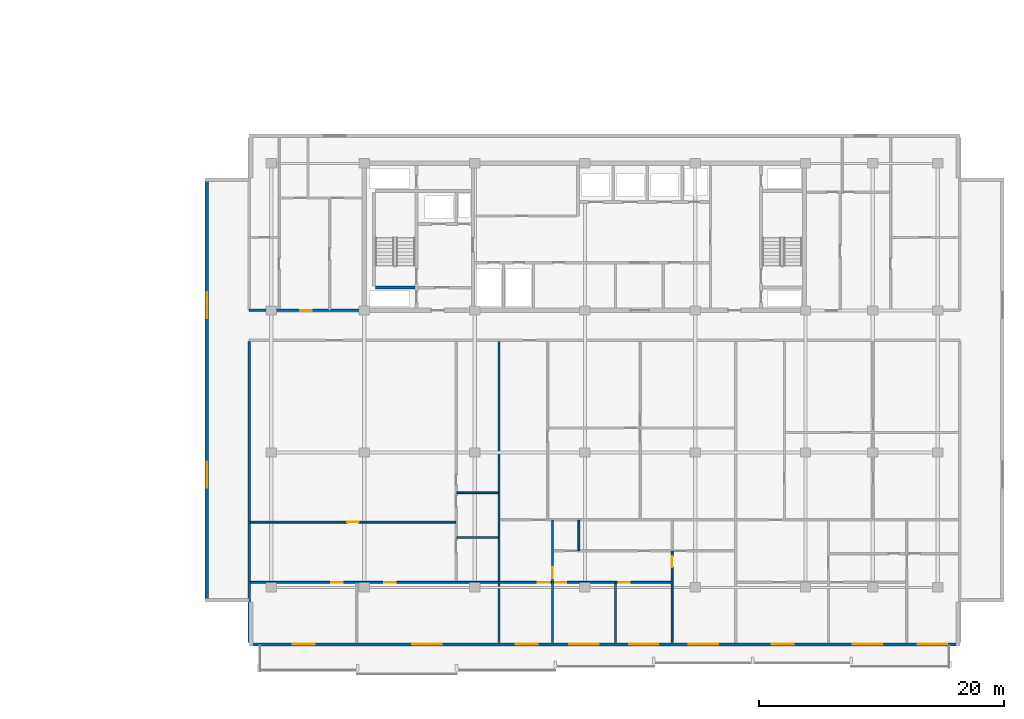
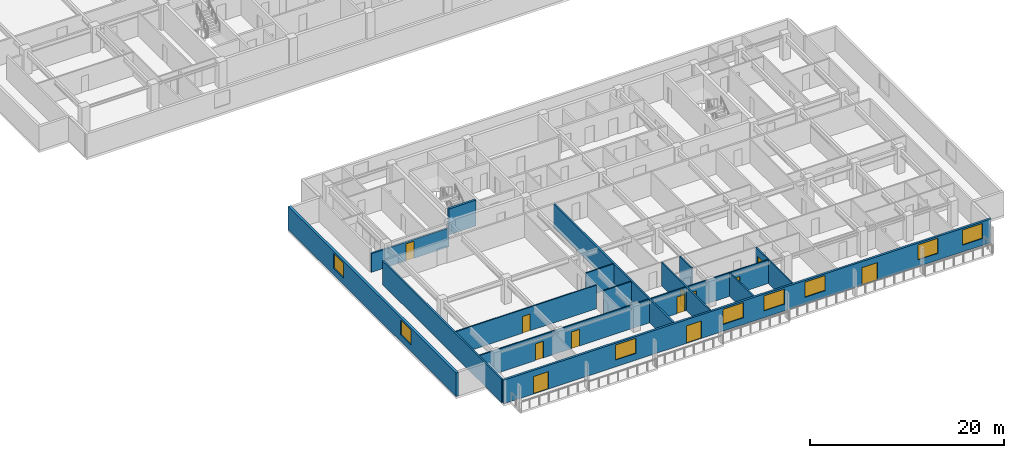
# One storey, part 4 of 21: 15 walls, 12 doors, 8 windows, 20 openings.
"""IFC4 building model written with IfcOpenShell, lengths in metres."""

import ifcopenshell
import ifcopenshell.guid

model = None  # the IFC model being written
_history = None  # IfcOwnerHistory: only IFC2X3 demands one
_inside = {}  # id of a spatial element -> (the spatial element, [elements in it])
_under = {}  # id of a project, library or spatial element -> (it, [spatial elements below it])
_declared = {}  # id of a project -> (the project, [libraries it declares])
_typed = {}  # id of a type object -> (the type object, [elements of that type])
_made_of = {}  # id of a material, layer set ... -> (it, [elements and type objects made of it])


def new_model(schema):
    """Start an empty IFC model of exactly this schema.

    Asked for "IFC4X3", IfcOpenShell would pick the latest addendum, in which some entities
    have other attributes; the version numbers below select the first issue.
    IFC2X3 requires an IfcOwnerHistory on every rooted entity: one is made here for all.
    """
    global model, _history
    if schema == "IFC4X3":
        model = ifcopenshell.file(schema_version=(4, 3, 0, 0))
    else:
        model = ifcopenshell.file(schema=schema)
    _inside.clear()
    _under.clear()
    _declared.clear()
    _typed.clear()
    _made_of.clear()
    _history = None
    if model.schema == "IFC2X3":
        org = make("IfcOrganization", Name="unknown")
        user = make(
            "IfcPersonAndOrganization",
            ThePerson=make("IfcPerson", FamilyName="unknown"),
            TheOrganization=org,
        )
        app = make(
            "IfcApplication",
            ApplicationDeveloper=org,
            Version="unknown",
            ApplicationFullName="unknown",
            ApplicationIdentifier="unknown",
        )
        _history = make(
            "IfcOwnerHistory",
            OwningUser=user,
            OwningApplication=app,
            ChangeAction="ADDED",
            CreationDate=0,
        )
    return model


def make(cls, **values):
    """One entity of the class cls with the attributes given. An attribute that is None is left unset."""
    return model.create_entity(
        cls, **{name: value for name, value in values.items() if value is not None}
    )


def rooted(cls, **values):
    """An entity with a GlobalId (a new one), such as an element, a storey or a relation."""
    return make(cls, GlobalId=ifcopenshell.guid.new(), OwnerHistory=_history, **values)


def si_unit(unit_type, name, prefix=None):
    """IfcSIUnit, for example si_unit("LENGTHUNIT", "METRE", prefix="MILLI")."""
    return make("IfcSIUnit", UnitType=unit_type, Prefix=prefix, Name=name)


def assignment(units):
    """IfcUnitAssignment: the units of a project."""
    return None if units is None else make("IfcUnitAssignment", Units=units)


def point(xyz):
    """IfcCartesianPoint."""
    return None if xyz is None else make("IfcCartesianPoint", Coordinates=xyz)


def direction(xyz):
    """IfcDirection."""
    return None if xyz is None else make("IfcDirection", DirectionRatios=xyz)


def frame(location, z_axis=None, x_axis=None):
    """IfcAxis2Placement3D, a coordinate frame: its origin and axes. An axis left out is left unset."""
    return make(
        "IfcAxis2Placement3D",
        Location=point(location),
        Axis=direction(z_axis),
        RefDirection=direction(x_axis),
    )


def frame_2d(location, x_axis=None):
    """IfcAxis2Placement2D, a coordinate frame in the plane: its origin and x axis."""
    return make(
        "IfcAxis2Placement2D", Location=point(location), RefDirection=direction(x_axis)
    )


def origin():
    """The frame at (0, 0, 0) with its axes left unset."""
    return frame((0.0, 0.0, 0.0))


def place(relative_to, where):
    """IfcLocalPlacement: puts the frame where relative to a parent placement (None: the world)."""
    return make(
        "IfcLocalPlacement", PlacementRelTo=relative_to, RelativePlacement=where
    )


def context(
    kind, dimensions, precision=None, world=None, true_north=None, identifier=None
):
    """IfcGeometricRepresentationContext, for example the 3D "Model" context."""
    return make(
        "IfcGeometricRepresentationContext",
        ContextIdentifier=identifier,
        ContextType=kind,
        CoordinateSpaceDimension=dimensions,
        Precision=precision,
        WorldCoordinateSystem=world,
        TrueNorth=true_north,
    )


def subcontext(parent, identifier, kind, view, scale=None):
    """IfcGeometricRepresentationSubContext, for example "Body" below "Model"."""
    return make(
        "IfcGeometricRepresentationSubContext",
        ContextIdentifier=identifier,
        ContextType=kind,
        ParentContext=parent,
        TargetScale=scale,
        TargetView=view,
    )


def project(units=None, contexts=None):
    """IfcProject with its units and contexts."""
    return rooted(
        "IfcProject",
        Name="project",
        RepresentationContexts=contexts,
        UnitsInContext=assignment(units),
    )


def spatial(cls, under=None, at=None, **own):
    """A site, building, storey or space (cls), placed at a placement, below another one or the project."""
    s = rooted(cls, ObjectPlacement=at, **own)
    if under is not None:
        _under.setdefault(under.id(), (under, []))[1].append(s)
    return s


def profile(cls, at=None, kind="AREA", **sizes):
    """A parametric profile (cls). Its sizes go by their IFC names, for example OverallWidth=200.0."""
    return make(cls, ProfileType=kind, Position=at, **sizes)


def rectangle(**sizes):
    """IfcRectangleProfileDef."""
    return profile("IfcRectangleProfileDef", **sizes)


def extrude(swept, where, along, depth):
    """IfcExtrudedAreaSolid: the profile swept, set in the frame where, extruded along a direction by depth."""
    return make(
        "IfcExtrudedAreaSolid",
        SweptArea=swept,
        Position=where,
        ExtrudedDirection=direction(along),
        Depth=depth,
    )


def shape(context_of_items, identifier, shape_type, items):
    """IfcShapeRepresentation: the items that make up one representation, for example the "Body"."""
    return make(
        "IfcShapeRepresentation",
        ContextOfItems=context_of_items,
        RepresentationIdentifier=identifier,
        RepresentationType=shape_type,
        Items=items,
    )


def material(Name=None, Category=None):
    """IfcMaterial."""
    return make("IfcMaterial", Name=Name, Category=Category)


def layer(
    of_material, thickness, ventilated=None, Name=None, Category=None, Priority=None
):
    """IfcMaterialLayer: one layer of a wall or slab, of a material (None: an air gap)."""
    return make(
        "IfcMaterialLayer",
        Material=of_material,
        LayerThickness=thickness,
        IsVentilated=ventilated,
        Name=Name,
        Category=Category,
        Priority=Priority,
    )


def layer_set(layers, Name=None):
    """IfcMaterialLayerSet."""
    return make("IfcMaterialLayerSet", MaterialLayers=layers, LayerSetName=Name)


def made_of(thing, what):
    """Note that an element or type object is made of a material, layer set ...; save() writes the relation."""
    if what is not None:
        _made_of.setdefault(what.id(), (what, []))[1].append(thing)
    return thing


def type_object(cls, material=None, **own):
    """A type object (cls), such as IfcWallType, which elements share."""
    return made_of(rooted(cls, **own), material)


def element(
    cls,
    number,
    at=None,
    inside=None,
    cuts=None,
    type_object=None,
    material=None,
    context=None,
    identifier="Body",
    shape_type=None,
    held_by="IfcProductDefinitionShape",
    body=None,
    shapes=None,
    **own,
):
    """One element of the class cls, such as IfcWall. Its Tag is "e" and its number.

    at: its placement. inside: the storey or other place that contains it. cuts: it is an
    opening in that element (IfcRelVoidsElement). A single representation is given by context,
    identifier, shape_type and body (its items); several are given by shapes. held_by: the class
    of the entity that holds the representations. save() writes the other relations.
    """
    e = rooted(cls, Tag="e%d" % number, ObjectPlacement=at, **own)
    if body is not None:
        shapes = [shape(context, identifier, shape_type, body)]
    if shapes is not None:
        e.Representation = make(held_by, Representations=shapes)
    if inside is not None:
        _inside.setdefault(inside.id(), (inside, []))[1].append(e)
    if cuts is not None:
        rooted(
            "IfcRelVoidsElement", RelatingBuildingElement=cuts, RelatedOpeningElement=e
        )
    if type_object is not None:
        _typed.setdefault(type_object.id(), (type_object, []))[1].append(e)
    return made_of(e, material)


def fill(opening, filler):
    """IfcRelFillsElement: the door or window that sits in an opening."""
    return rooted(
        "IfcRelFillsElement",
        RelatingOpeningElement=opening,
        RelatedBuildingElement=filler,
    )


def aggregate(whole, parts):
    """IfcRelAggregates: a whole, such as a stair, and the parts it consists of."""
    return rooted("IfcRelAggregates", RelatingObject=whole, RelatedObjects=parts)


def save(model, path):
    """Write the relations noted so far, then the file.

    IfcRelAggregates (storeys below a building ...), IfcRelContainedInSpatialStructure (elements
    in a storey), IfcRelDefinesByType, IfcRelAssociatesMaterial and IfcRelDeclares: one each for
    every whole, place, type object, material and project.
    """
    for whole, parts in _under.values():
        aggregate(whole, parts)
    for where, things in _inside.values():
        rooted(
            "IfcRelContainedInSpatialStructure",
            RelatedElements=things,
            RelatingStructure=where,
        )
    for kind, things in _typed.values():
        rooted("IfcRelDefinesByType", RelatedObjects=things, RelatingType=kind)
    for what, things in _made_of.values():
        rooted("IfcRelAssociatesMaterial", RelatedObjects=things, RelatingMaterial=what)
    for by, libraries in _declared.values():
        rooted("IfcRelDeclares", RelatingContext=by, RelatedDefinitions=libraries)
    model.write(path)


model = new_model("IFC4")

# Units and contexts
model_context = context("Model", 3, precision=1e-05, world=origin(), true_north=direction((0.0, 1.0)))
body_context = subcontext(model_context, "Body", "Model", "MODEL_VIEW")
ifc_project = project(units=[si_unit("LENGTHUNIT", "METRE"), si_unit("AREAUNIT", "SQUARE_METRE"), si_unit("VOLUMEUNIT", "CUBIC_METRE"), si_unit("PLANEANGLEUNIT", "RADIAN"), si_unit("MASSUNIT", "GRAM", prefix="KILO")], contexts=[model_context])

# Site, building, storey
site_placement = place(None, origin())
site = spatial("IfcSite", under=ifc_project, at=site_placement, CompositionType="ELEMENT")
building_placement = place(site_placement, origin())
building = spatial("IfcBuilding", under=site, at=building_placement, Name="Korimba Cascade Residences", CompositionType="ELEMENT")
storey_placement = place(building_placement, frame((0.0, 0.0, 123.050048828125)))
storey = spatial("IfcBuildingStorey", under=building, at=storey_placement, Name="L35", CompositionType="ELEMENT", Elevation=123.050048828125)

# Wall, openings, doors, windows
ifc_material_1 = material(Name="Precast concrete C40/50", Category="concrete")
ifc_layer_1 = layer(ifc_material_1, 0.25)
ifc_layer_set_1 = layer_set([ifc_layer_1], Name="Precast concrete C40/50")
wall_type_1 = type_object("IfcWallType", Name="EW-LOG-250", PredefinedType="STANDARD", material=ifc_layer_set_1)
wall_1_placement = place(storey_placement, frame((72.699951171875, -8.85009765625, 0.0), z_axis=(0.0, 0.0, 1.0), x_axis=(1.0, 0.0, 0.0)))
wall_1 = element("IfcWall", 1, at=wall_1_placement, inside=storey, type_object=wall_type_1, Name="L35 T2 Perimeter Stone Wall E00", PredefinedType="STANDARD", context=body_context, shape_type="SweptSolid", body=[
    extrude(rectangle(XDim=58.0, YDim=0.25, at=frame_2d((29.0, 0.0))), origin(), (0.0, 0.0, 1.0), 2.969970703125),
])
opening_1_placement = place(wall_1_placement, frame((3.547607421875, 0.0, 0.0)))
opening_1 = element("IfcOpeningElement", 2, at=opening_1_placement, cuts=wall_1, Name="Opening D-LG1", PredefinedType="OPENING", context=body_context, shape_type="SweptSolid", body=[
    extrude(rectangle(XDim=1.800048828125, YDim=2.199951171875, at=frame_2d((0.89990234375, 1.10009765625))), frame((0.0, 0.135009765625, 0.0), z_axis=(0.0, -1.0, 0.0), x_axis=(1.0, 0.0, 0.0)), (0.0, 0.0, 1.0), 0.27001953125),
])
opening_2_placement = place(wall_1_placement, frame((13.3232421875, 0.0, 0.85009765625)))
opening_2 = element("IfcOpeningElement", 3, at=opening_2_placement, cuts=wall_1, Name="Opening W-01", PredefinedType="OPENING", context=body_context, shape_type="SweptSolid", body=[
    extrude(rectangle(XDim=2.39990234375, YDim=1.89990234375, at=frame_2d((1.199951171875, 0.949951171875))), frame((0.0, 0.135009765625, 0.0), z_axis=(0.0, -1.0, 0.0), x_axis=(1.0, 0.0, 0.0)), (0.0, 0.0, 1.0), 0.27001953125),
])
opening_3_placement = place(wall_1_placement, frame((26.125732421875, 0.0, 0.85009765625)))
opening_3 = element("IfcOpeningElement", 4, at=opening_3_placement, cuts=wall_1, Name="Opening W-01", PredefinedType="OPENING", context=body_context, shape_type="SweptSolid", body=[
    extrude(rectangle(XDim=2.39990234375, YDim=1.89990234375, at=frame_2d((1.199951171875, 0.949951171875))), frame((0.0, 0.135009765625, 0.0), z_axis=(0.0, -1.0, 0.0), x_axis=(1.0, 0.0, 0.0)), (0.0, 0.0, 1.0), 0.27001953125),
])
opening_4_placement = place(wall_1_placement, frame((31.005126953125, 0.0, 0.85009765625)))
opening_4 = element("IfcOpeningElement", 5, at=opening_4_placement, cuts=wall_1, Name="Opening W-01", PredefinedType="OPENING", context=body_context, shape_type="SweptSolid", body=[
    extrude(rectangle(XDim=2.39990234375, YDim=1.89990234375, at=frame_2d((1.199951171875, 0.949951171875))), frame((0.0, 0.135009765625, 0.0), z_axis=(0.0, -1.0, 0.0), x_axis=(1.0, 0.0, 0.0)), (0.0, 0.0, 1.0), 0.27001953125),
])
opening_5_placement = place(wall_1_placement, frame((21.73583984375, 0.0, 0.0)))
opening_5 = element("IfcOpeningElement", 6, at=opening_5_placement, cuts=wall_1, Name="Opening D-LG1", PredefinedType="OPENING", context=body_context, shape_type="SweptSolid", body=[
    extrude(rectangle(XDim=1.800048828125, YDim=2.199951171875, at=frame_2d((0.89990234375, 1.10009765625))), frame((0.0, 0.135009765625, 0.0), z_axis=(0.0, -1.0, 0.0), x_axis=(1.0, 0.0, 0.0)), (0.0, 0.0, 1.0), 0.27001953125),
])
opening_6_placement = place(wall_1_placement, frame((35.861328125, 0.0, 0.85009765625)))
opening_6 = element("IfcOpeningElement", 7, at=opening_6_placement, cuts=wall_1, Name="Opening W-01", PredefinedType="OPENING", context=body_context, shape_type="SweptSolid", body=[
    extrude(rectangle(XDim=2.39990234375, YDim=1.89990234375, at=frame_2d((1.199951171875, 0.949951171875))), frame((0.0, 0.135009765625, 0.0), z_axis=(0.0, -1.0, 0.0), x_axis=(1.0, 0.0, 0.0)), (0.0, 0.0, 1.0), 0.27001953125),
])
opening_7_placement = place(wall_1_placement, frame((49.27490234375, 0.0, 0.85009765625)))
opening_7 = element("IfcOpeningElement", 8, at=opening_7_placement, cuts=wall_1, Name="Opening W-01", PredefinedType="OPENING", context=body_context, shape_type="SweptSolid", body=[
    extrude(rectangle(XDim=2.39990234375, YDim=1.89990234375, at=frame_2d((1.199951171875, 0.949951171875))), frame((0.0, 0.135009765625, 0.0), z_axis=(0.0, -1.0, 0.0), x_axis=(1.0, 0.0, 0.0)), (0.0, 0.0, 1.0), 0.27001953125),
])
opening_8_placement = place(wall_1_placement, frame((42.661376953125, 0.0, 0.0)))
opening_8 = element("IfcOpeningElement", 9, at=opening_8_placement, cuts=wall_1, Name="Opening D-LG1", PredefinedType="OPENING", context=body_context, shape_type="SweptSolid", body=[
    extrude(rectangle(XDim=1.800048828125, YDim=2.199951171875, at=frame_2d((0.89990234375, 1.10009765625))), frame((0.0, 0.135009765625, 0.0), z_axis=(0.0, -1.0, 0.0), x_axis=(1.0, 0.0, 0.0)), (0.0, 0.0, 1.0), 0.27001953125),
])
opening_9_placement = place(wall_1_placement, frame((54.574951171875, 0.0, 0.85009765625)))
opening_9 = element("IfcOpeningElement", 10, at=opening_9_placement, cuts=wall_1, Name="Opening W-01", PredefinedType="OPENING", context=body_context, shape_type="SweptSolid", body=[
    extrude(rectangle(XDim=2.39990234375, YDim=1.89990234375, at=frame_2d((1.199951171875, 0.949951171875))), frame((0.0, 0.135009765625, 0.0), z_axis=(0.0, -1.0, 0.0), x_axis=(1.0, 0.0, 0.0)), (0.0, 0.0, 1.0), 0.27001953125),
])
ifc_material_2 = material(Name="Glazed Aluminium Loggia Sliding Door", Category="aluminium")
door_type_1 = type_object("IfcDoorType", Name="DR-EXT-LOG", OperationType="NOTDEFINED", PredefinedType="DOOR", material=ifc_material_2)
door_1_placement = place(opening_1_placement, origin())
door_1 = element("IfcDoor", 11, at=door_1_placement, inside=storey, type_object=door_type_1, Name="L35 T2 Loggia Sliding Door 3", OperationType="SLIDING_TO_RIGHT", OverallHeight=2.199951171875, OverallWidth=1.800048828125, PredefinedType="DOOR", context=body_context, shape_type="SweptSolid", body=[
    extrude(rectangle(XDim=1.800048828125, YDim=2.199951171875, at=frame_2d((0.89990234375, 1.10009765625))), frame((0.0, 0.02490234375, 0.0), z_axis=(0.0, -1.0, 0.0), x_axis=(1.0, 0.0, 0.0)), (0.0, 0.0, 1.0), 0.050048828125),
])
fill(opening_1, door_1)
door_2_placement = place(opening_5_placement, origin())
door_2 = element("IfcDoor", 12, at=door_2_placement, inside=storey, type_object=door_type_1, Name="L35 T2 Loggia Sliding Door 7", OperationType="SLIDING_TO_RIGHT", OverallHeight=2.199951171875, OverallWidth=1.800048828125, PredefinedType="DOOR", context=body_context, shape_type="SweptSolid", body=[
    extrude(rectangle(XDim=1.800048828125, YDim=2.199951171875, at=frame_2d((0.89990234375, 1.10009765625))), frame((0.0, 0.02490234375, 0.0), z_axis=(0.0, -1.0, 0.0), x_axis=(1.0, 0.0, 0.0)), (0.0, 0.0, 1.0), 0.050048828125),
])
fill(opening_5, door_2)
door_3_placement = place(opening_8_placement, origin())
door_3 = element("IfcDoor", 13, at=door_3_placement, inside=storey, type_object=door_type_1, Name="L35 T2 Loggia Sliding Door 10", OperationType="SLIDING_TO_RIGHT", OverallHeight=2.199951171875, OverallWidth=1.800048828125, PredefinedType="DOOR", context=body_context, shape_type="SweptSolid", body=[
    extrude(rectangle(XDim=1.800048828125, YDim=2.199951171875, at=frame_2d((0.89990234375, 1.10009765625))), frame((0.0, 0.02490234375, 0.0), z_axis=(0.0, -1.0, 0.0), x_axis=(1.0, 0.0, 0.0)), (0.0, 0.0, 1.0), 0.050048828125),
])
fill(opening_8, door_3)
ifc_material_3 = material(Name="Double-Glazed Aluminium Window", Category="aluminium")
window_type_1 = type_object("IfcWindowType", Name="WIN-RES-2400", PartitioningType="DOUBLE_PANEL_VERTICAL", PredefinedType="WINDOW", material=ifc_material_3)
window_1_placement = place(opening_2_placement, origin())
window_1 = element("IfcWindow", 14, at=window_1_placement, inside=storey, type_object=window_type_1, Name="L35 T2 South Facade Window 4", OverallHeight=1.89990234375, OverallWidth=2.39990234375, PartitioningType="DOUBLE_PANEL_VERTICAL", PredefinedType="WINDOW", context=body_context, shape_type="SweptSolid", body=[
    extrude(rectangle(XDim=2.39990234375, YDim=1.89990234375, at=frame_2d((1.199951171875, 0.949951171875))), frame((0.0, 0.030029296875, 0.0), z_axis=(0.0, -1.0, 0.0), x_axis=(1.0, 0.0, 0.0)), (0.0, 0.0, 1.0), 0.06005859375),
])
fill(opening_2, window_1)
window_2_placement = place(opening_3_placement, origin())
window_2 = element("IfcWindow", 15, at=window_2_placement, inside=storey, type_object=window_type_1, Name="L35 T2 South Facade Window 5", OverallHeight=1.89990234375, OverallWidth=2.39990234375, PartitioningType="DOUBLE_PANEL_VERTICAL", PredefinedType="WINDOW", context=body_context, shape_type="SweptSolid", body=[
    extrude(rectangle(XDim=2.39990234375, YDim=1.89990234375, at=frame_2d((1.199951171875, 0.949951171875))), frame((0.0, 0.030029296875, 0.0), z_axis=(0.0, -1.0, 0.0), x_axis=(1.0, 0.0, 0.0)), (0.0, 0.0, 1.0), 0.06005859375),
])
fill(opening_3, window_2)
window_3_placement = place(opening_4_placement, origin())
window_3 = element("IfcWindow", 16, at=window_3_placement, inside=storey, type_object=window_type_1, Name="L35 T2 South Facade Window 6", OverallHeight=1.89990234375, OverallWidth=2.39990234375, PartitioningType="DOUBLE_PANEL_VERTICAL", PredefinedType="WINDOW", context=body_context, shape_type="SweptSolid", body=[
    extrude(rectangle(XDim=2.39990234375, YDim=1.89990234375, at=frame_2d((1.199951171875, 0.949951171875))), frame((0.0, 0.030029296875, 0.0), z_axis=(0.0, -1.0, 0.0), x_axis=(1.0, 0.0, 0.0)), (0.0, 0.0, 1.0), 0.06005859375),
])
fill(opening_4, window_3)
window_4_placement = place(opening_6_placement, origin())
window_4 = element("IfcWindow", 17, at=window_4_placement, inside=storey, type_object=window_type_1, Name="L35 T2 South Facade Window 8", OverallHeight=1.89990234375, OverallWidth=2.39990234375, PartitioningType="DOUBLE_PANEL_VERTICAL", PredefinedType="WINDOW", context=body_context, shape_type="SweptSolid", body=[
    extrude(rectangle(XDim=2.39990234375, YDim=1.89990234375, at=frame_2d((1.199951171875, 0.949951171875))), frame((0.0, 0.030029296875, 0.0), z_axis=(0.0, -1.0, 0.0), x_axis=(1.0, 0.0, 0.0)), (0.0, 0.0, 1.0), 0.06005859375),
])
fill(opening_6, window_4)
window_5_placement = place(opening_7_placement, origin())
window_5 = element("IfcWindow", 18, at=window_5_placement, inside=storey, type_object=window_type_1, Name="L35 T2 South Facade Window 9", OverallHeight=1.89990234375, OverallWidth=2.39990234375, PartitioningType="DOUBLE_PANEL_VERTICAL", PredefinedType="WINDOW", context=body_context, shape_type="SweptSolid", body=[
    extrude(rectangle(XDim=2.39990234375, YDim=1.89990234375, at=frame_2d((1.199951171875, 0.949951171875))), frame((0.0, 0.030029296875, 0.0), z_axis=(0.0, -1.0, 0.0), x_axis=(1.0, 0.0, 0.0)), (0.0, 0.0, 1.0), 0.06005859375),
])
fill(opening_7, window_5)
window_6_placement = place(opening_9_placement, origin())
window_6 = element("IfcWindow", 19, at=window_6_placement, inside=storey, type_object=window_type_1, Name="L35 T2 South Facade Window 11", OverallHeight=1.89990234375, OverallWidth=2.39990234375, PartitioningType="DOUBLE_PANEL_VERTICAL", PredefinedType="WINDOW", context=body_context, shape_type="SweptSolid", body=[
    extrude(rectangle(XDim=2.39990234375, YDim=1.89990234375, at=frame_2d((1.199951171875, 0.949951171875))), frame((0.0, 0.030029296875, 0.0), z_axis=(0.0, -1.0, 0.0), x_axis=(1.0, 0.0, 0.0)), (0.0, 0.0, 1.0), 0.06005859375),
])
fill(opening_9, window_6)

# Wall, openings, windows
ifc_layer_2 = layer(ifc_material_1, 0.300048828125)
ifc_layer_set_2 = layer_set([ifc_layer_2], Name="Precast concrete C40/50")
wall_type_2 = type_object("IfcWallType", Name="EW-STONE-300", PredefinedType="STANDARD", material=ifc_layer_set_2)
wall_2_placement = place(storey_placement, frame((69.25, 29.199951171875, 0.0), z_axis=(0.0, 0.0, 1.0), x_axis=(0.0, -1.0, 0.0)))
wall_2 = element("IfcWall", 20, at=wall_2_placement, inside=storey, type_object=wall_type_2, Name="L35 T2 Perimeter Stone Wall E09", PredefinedType="STANDARD", context=body_context, shape_type="SweptSolid", body=[
    extrude(rectangle(XDim=34.599853515625, YDim=0.300048828125, at=frame_2d((17.2998046875, 0.0))), origin(), (0.0, 0.0, 1.0), 2.969970703125),
])
opening_10_placement = place(wall_2_placement, frame((9.330078125, 0.0, 0.85009765625)))
opening_10 = element("IfcOpeningElement", 21, at=opening_10_placement, cuts=wall_2, Name="Opening W-03", PredefinedType="OPENING", context=body_context, shape_type="SweptSolid", body=[
    extrude(rectangle(XDim=2.10009765625, YDim=1.85009765625, at=frame_2d((1.050048828125, 0.925048828125))), frame((0.0, 0.16015625, 0.0), z_axis=(0.0, -1.0, 0.0), x_axis=(1.0, 0.0, 0.0)), (0.0, 0.0, 1.0), 0.320068359375),
])
opening_11_placement = place(wall_2_placement, frame((23.169921875, 0.0, 0.85009765625)))
opening_11 = element("IfcOpeningElement", 22, at=opening_11_placement, cuts=wall_2, Name="Opening W-03", PredefinedType="OPENING", context=body_context, shape_type="SweptSolid", body=[
    extrude(rectangle(XDim=2.10009765625, YDim=1.85009765625, at=frame_2d((1.050048828125, 0.925048828125))), frame((0.0, 0.16015625, 0.0), z_axis=(0.0, -1.0, 0.0), x_axis=(1.0, 0.0, 0.0)), (0.0, 0.0, 1.0), 0.320068359375),
])
window_type_2 = type_object("IfcWindowType", Name="WIN-CRN-2100", PartitioningType="DOUBLE_PANEL_HORIZONTAL", PredefinedType="WINDOW", material=ifc_material_3)
window_7_placement = place(opening_10_placement, origin())
window_7 = element("IfcWindow", 23, at=window_7_placement, inside=storey, type_object=window_type_2, Name="L35 T2 End View Window 9.1", OverallHeight=1.85009765625, OverallWidth=2.10009765625, PartitioningType="DOUBLE_PANEL_HORIZONTAL", PredefinedType="WINDOW", context=body_context, shape_type="SweptSolid", body=[
    extrude(rectangle(XDim=2.10009765625, YDim=1.85009765625, at=frame_2d((1.050048828125, 0.925048828125))), frame((0.0, 0.030029296875, 0.0), z_axis=(0.0, -1.0, 0.0), x_axis=(1.0, 0.0, 0.0)), (0.0, 0.0, 1.0), 0.06005859375),
])
fill(opening_10, window_7)
window_8_placement = place(opening_11_placement, origin())
window_8 = element("IfcWindow", 24, at=window_8_placement, inside=storey, type_object=window_type_2, Name="L35 T2 End View Window 9.2", OverallHeight=1.85009765625, OverallWidth=2.10009765625, PartitioningType="DOUBLE_PANEL_HORIZONTAL", PredefinedType="WINDOW", context=body_context, shape_type="SweptSolid", body=[
    extrude(rectangle(XDim=2.10009765625, YDim=1.85009765625, at=frame_2d((1.050048828125, 0.925048828125))), frame((0.0, 0.030029296875, 0.0), z_axis=(0.0, -1.0, 0.0), x_axis=(1.0, 0.0, 0.0)), (0.0, 0.0, 1.0), 0.06005859375),
])
fill(opening_11, window_8)

# Wall, opening, door
ifc_layer_3 = layer(ifc_material_1, 0.199951171875)
ifc_layer_set_3 = layer_set([ifc_layer_3], Name="Precast concrete C40/50")
wall_type_3 = type_object("IfcWallType", Name="WAL-IT-200", PredefinedType="PARTITIONING", material=ifc_layer_set_3)
wall_3_placement = place(storey_placement, frame((72.699951171875, 18.39990234375, 0.0), z_axis=(0.0, 0.0, 1.0), x_axis=(1.0, 0.0, 0.0)))
wall_3 = element("IfcWall", 25, at=wall_3_placement, inside=storey, type_object=wall_type_3, Name="L35 Partition Wall WAL-L35-T2-FW-S", PredefinedType="PARTITIONING", context=body_context, shape_type="SweptSolid", body=[
    extrude(rectangle(XDim=9.25, YDim=0.199951171875, at=frame_2d((4.625, 0.0))), origin(), (0.0, 0.0, 1.0), 2.357666015625),
])
opening_12_placement = place(wall_3_placement, frame((4.14990234375, 0.0, 0.0)))
opening_12 = element("IfcOpeningElement", 26, at=opening_12_placement, cuts=wall_3, Name="Opening D-UN1", PredefinedType="OPENING", context=body_context, shape_type="SweptSolid", body=[
    extrude(rectangle(XDim=0.949951171875, YDim=2.14990234375, at=frame_2d((0.47509765625, 1.074951171875))), frame((0.0, 0.10986328125, 0.0), z_axis=(0.0, -1.0, 0.0), x_axis=(1.0, 0.0, 0.0)), (0.0, 0.0, 1.0), 0.219970703125),
])
ifc_material_4 = material(Name="Fire-Rated Hardwood Apartment Entrance Door", Category="wood")
door_type_2 = type_object("IfcDoorType", Name="DR-FD60-950", OperationType="NOTDEFINED", PredefinedType="DOOR", material=ifc_material_4)
door_4_placement = place(opening_12_placement, origin())
door_4 = element("IfcDoor", 27, at=door_4_placement, inside=storey, type_object=door_type_2, Name="L35-T2-FW Entrance Door", OperationType="SINGLE_SWING_RIGHT", OverallHeight=2.14990234375, OverallWidth=0.949951171875, PredefinedType="DOOR", context=body_context, shape_type="SweptSolid", body=[
    extrude(rectangle(XDim=0.949951171875, YDim=2.14990234375, at=frame_2d((0.47509765625, 1.074951171875))), frame((0.0, 0.02490234375, 0.0), z_axis=(0.0, -1.0, 0.0), x_axis=(1.0, 0.0, 0.0)), (0.0, 0.0, 1.0), 0.050048828125),
])
fill(opening_12, door_4)

# Walls
for number, where, z_axis, x_axis, name in (
    (28, (72.699951171875, -8.699951171875, 0.0), (0.0, 0.0, 1.0), (0.0, 1.0, 0.0), "L35 Partition Wall WAL-L35-T2-BNDWL"),
    (29, (93.0908203125, -8.699951171875, 0.0), (0.0, 0.0, 1.0), (0.0, 1.0, 0.0), "L35 Partition Wall WAL-L35-T2-DEM-1"),
):
    element("IfcWall", number, at=place(storey_placement, frame(where, z_axis=z_axis, x_axis=x_axis)), inside=storey, type_object=wall_type_3, Name=name, PredefinedType="PARTITIONING", context=body_context, shape_type="SweptSolid", body=[
        extrude(rectangle(XDim=24.570068359375, YDim=0.199951171875, at=frame_2d((12.28515625, 0.0))), origin(), (0.0, 0.0, 1.0), 2.969970703125),
    ])

# Wall, opening, door
ifc_material_5 = material(Name="Insulated Acoustic Stud Partition", Category="gypsum")
ifc_layer_4 = layer(ifc_material_5, 0.14990234375)
ifc_layer_set_4 = layer_set([ifc_layer_4], Name="Insulated Acoustic Stud Partition")
wall_type_4 = type_object("IfcWallType", Name="WAL-PART-150", PredefinedType="PARTITIONING", material=ifc_layer_set_4)
wall_4_placement = place(storey_placement, frame((72.780029296875, 1.1201171875, 0.0), z_axis=(0.0, 0.0, 1.0), x_axis=(1.0, 0.0, 0.0)))
wall_4 = element("IfcWall", 30, at=wall_4_placement, inside=storey, type_object=wall_type_4, Name="L35 Partition Wall WAL-L35-T2-U01-CARH", PredefinedType="PARTITIONING", context=body_context, shape_type="SweptSolid", body=[
    extrude(rectangle(XDim=16.770751953125, YDim=0.14990234375, at=frame_2d((8.38525390625, 0.0))), origin(), (0.0, 0.0, 1.0), 2.969970703125),
])
opening_13_placement = place(wall_4_placement, frame((7.915283203125, 0.0, 0.0)))
opening_13 = element("IfcOpeningElement", 31, at=opening_13_placement, cuts=wall_4, Name="Opening D-IN0", PredefinedType="OPENING", context=body_context, shape_type="SweptSolid", body=[
    extrude(rectangle(XDim=0.93994140625, YDim=2.10009765625, at=frame_2d((0.469970703125, 1.050048828125))), frame((0.0, 0.0849609375, 0.0), z_axis=(0.0, -1.0, 0.0), x_axis=(1.0, 0.0, 0.0)), (0.0, 0.0, 1.0), 0.169921875),
])
ifc_material_6 = material(Name="Acoustic Timber Living Archway Door", Category="wood")
door_type_3 = type_object("IfcDoorType", Name="DR-INT-950", OperationType="NOTDEFINED", PredefinedType="DOOR", material=ifc_material_6)
door_5_placement = place(opening_13_placement, origin())
door_5 = element("IfcDoor", 32, at=door_5_placement, inside=storey, type_object=door_type_3, Name="L35-T2-U01 Wellness Clinic Foyer Door", OperationType="SINGLE_SWING_LEFT", OverallHeight=2.10009765625, OverallWidth=0.93994140625, PredefinedType="DOOR", context=body_context, shape_type="SweptSolid", body=[
    extrude(rectangle(XDim=0.93994140625, YDim=2.10009765625, at=frame_2d((0.469970703125, 1.050048828125))), frame((0.0, 0.02490234375, 0.0), z_axis=(0.0, -1.0, 0.0), x_axis=(1.0, 0.0, 0.0)), (0.0, 0.0, 1.0), 0.050048828125),
])
fill(opening_13, door_5)

# Walls
for number, where, z_axis, x_axis, name in (
    (33, (89.65087890625, -0.1298828125, 0.0), (0.0, 0.0, 1.0), (1.0, 0.0, 0.0), "L35 Partition Wall WAL-L35-T2-U01-WCH"),
    (34, (89.65087890625, 3.52001953125, 0.0), (0.0, 0.0, 1.0), (1.0, 0.0, 0.0), "L35 Partition Wall WAL-L35-T2-U01-WCH2"),
):
    element("IfcWall", number, at=place(storey_placement, frame(where, z_axis=z_axis, x_axis=x_axis)), inside=storey, type_object=wall_type_4, Name=name, PredefinedType="PARTITIONING", context=body_context, shape_type="SweptSolid", body=[
        extrude(rectangle(XDim=3.360107421875, YDim=0.14990234375, at=frame_2d((1.68017578125, 0.0))), origin(), (0.0, 0.0, 1.0), 2.969970703125),
    ])

# Wall, openings, doors
wall_5_placement = place(storey_placement, frame((72.780029296875, -3.800048828125, 0.0), z_axis=(0.0, 0.0, 1.0), x_axis=(1.0, 0.0, 0.0)))
wall_5 = element("IfcWall", 35, at=wall_5_placement, inside=storey, type_object=wall_type_4, Name="L35 Partition Wall WAL-L35-T2-U01-HZ", PredefinedType="PARTITIONING", context=body_context, shape_type="SweptSolid", body=[
    extrude(rectangle(XDim=20.23095703125, YDim=0.14990234375, at=frame_2d((10.115478515625, 0.0))), origin(), (0.0, 0.0, 1.0), 2.969970703125),
])
opening_14_placement = place(wall_5_placement, frame((6.634765625, 0.0, 0.0)))
opening_14 = element("IfcOpeningElement", 36, at=opening_14_placement, cuts=wall_5, Name="Opening D-IN0", PredefinedType="OPENING", context=body_context, shape_type="SweptSolid", body=[
    extrude(rectangle(XDim=0.93994140625, YDim=2.10009765625, at=frame_2d((0.469970703125, 1.050048828125))), frame((0.0, 0.0849609375, 0.0), z_axis=(0.0, -1.0, 0.0), x_axis=(1.0, 0.0, 0.0)), (0.0, 0.0, 1.0), 0.169921875),
])
opening_15_placement = place(wall_5_placement, frame((10.947998046875, 0.0, 0.0)))
opening_15 = element("IfcOpeningElement", 37, at=opening_15_placement, cuts=wall_5, Name="Opening D-IN0", PredefinedType="OPENING", context=body_context, shape_type="SweptSolid", body=[
    extrude(rectangle(XDim=0.93994140625, YDim=2.10009765625, at=frame_2d((0.469970703125, 1.050048828125))), frame((0.0, 0.0849609375, 0.0), z_axis=(0.0, -1.0, 0.0), x_axis=(1.0, 0.0, 0.0)), (0.0, 0.0, 1.0), 0.169921875),
])
door_6_placement = place(opening_14_placement, origin())
door_6 = element("IfcDoor", 38, at=door_6_placement, inside=storey, type_object=door_type_3, Name="L35-T2-U01 Hydrotherapy Wellness Clinic Door", OperationType="SINGLE_SWING_LEFT", OverallHeight=2.10009765625, OverallWidth=0.93994140625, PredefinedType="DOOR", context=body_context, shape_type="SweptSolid", body=[
    extrude(rectangle(XDim=0.93994140625, YDim=2.10009765625, at=frame_2d((0.469970703125, 1.050048828125))), frame((0.0, 0.02490234375, 0.0), z_axis=(0.0, -1.0, 0.0), x_axis=(1.0, 0.0, 0.0)), (0.0, 0.0, 1.0), 0.050048828125),
])
fill(opening_14, door_6)
door_7_placement = place(opening_15_placement, origin())
door_7 = element("IfcDoor", 39, at=door_7_placement, inside=storey, type_object=door_type_3, Name="L35-T2-U01 Physiotherapy Treatment Room Door", OperationType="SINGLE_SWING_RIGHT", OverallHeight=2.10009765625, OverallWidth=0.93994140625, PredefinedType="DOOR", context=body_context, shape_type="SweptSolid", body=[
    extrude(rectangle(XDim=0.93994140625, YDim=2.10009765625, at=frame_2d((0.469970703125, 1.050048828125))), frame((0.0, 0.02490234375, 0.0), z_axis=(0.0, -1.0, 0.0), x_axis=(1.0, 0.0, 0.0)), (0.0, 0.0, 1.0), 0.050048828125),
])
fill(opening_15, door_7)

# Walls
wall_6_placement = place(storey_placement, frame((99.61083984375, -1.2099609375, 0.0), z_axis=(0.0, 0.0, 1.0), x_axis=(0.0, 1.0, 0.0)))
element("IfcWall", 40, at=wall_6_placement, inside=storey, type_object=wall_type_4, Name="L35 Partition Wall WAL-L35-T2-U02-VDRS", PredefinedType="PARTITIONING", context=body_context, shape_type="SweptSolid", body=[
    extrude(rectangle(XDim=2.469970703125, YDim=0.14990234375, at=frame_2d((1.23486328125, 0.0))), origin(), (0.0, 0.0, 1.0), 2.969970703125),
])
wall_7_placement = place(storey_placement, frame((102.590576171875, -8.699951171875, 0.0), z_axis=(0.0, 0.0, 1.0), x_axis=(0.0, 1.0, 0.0)))
element("IfcWall", 41, at=wall_7_placement, inside=storey, type_object=wall_type_4, Name="L35 Partition Wall WAL-L35-T2-U02-VSTD", PredefinedType="PARTITIONING", context=body_context, shape_type="SweptSolid", body=[
    extrude(rectangle(XDim=4.820068359375, YDim=0.14990234375, at=frame_2d((2.41015625, 0.0))), origin(), (0.0, 0.0, 1.0), 2.969970703125),
])

# Wall, opening, door
wall_8_placement = place(storey_placement, frame((97.4609375, -8.699951171875, 0.0), z_axis=(0.0, 0.0, 1.0), x_axis=(0.0, 1.0, 0.0)))
wall_8 = element("IfcWall", 42, at=wall_8_placement, inside=storey, type_object=wall_type_4, Name="L35 Partition Wall WAL-L35-T2-U02-V1", PredefinedType="PARTITIONING", context=body_context, shape_type="SweptSolid", body=[
    extrude(rectangle(XDim=9.9599609375, YDim=0.14990234375, at=frame_2d((4.97998046875, 0.0))), origin(), (0.0, 0.0, 1.0), 2.969970703125),
])
opening_16_placement = place(wall_8_placement, frame((5.219970703125, 0.0, 0.0)))
opening_16 = element("IfcOpeningElement", 43, at=opening_16_placement, cuts=wall_8, Name="Opening D-IN1", PredefinedType="OPENING", context=body_context, shape_type="SweptSolid", body=[
    extrude(rectangle(XDim=0.919921875, YDim=2.080078125, at=frame_2d((0.4599609375, 1.0400390625))), frame((0.0, 0.0849609375, 0.0), z_axis=(0.0, -1.0, 0.0), x_axis=(1.0, 0.0, 0.0)), (0.0, 0.0, 1.0), 0.169921875),
])
ifc_material_7 = material(Name="Acoustic Timber Living Door", Category="wood")
door_type_4 = type_object("IfcDoorType", Name="DR-INT-920", OperationType="NOTDEFINED", PredefinedType="DOOR", material=ifc_material_7)
door_8_placement = place(opening_16_placement, origin())
door_8 = element("IfcDoor", 44, at=door_8_placement, inside=storey, type_object=door_type_4, Name="L35-T2-U02 Hallway Door", OperationType="SINGLE_SWING_LEFT", OverallHeight=2.080078125, OverallWidth=0.919921875, PredefinedType="DOOR", context=body_context, shape_type="SweptSolid", body=[
    extrude(rectangle(XDim=0.919921875, YDim=2.080078125, at=frame_2d((0.4599609375, 1.0400390625))), frame((0.0, 0.02490234375, 0.0), z_axis=(0.0, -1.0, 0.0), x_axis=(1.0, 0.0, 0.0)), (0.0, 0.0, 1.0), 0.050048828125),
])
fill(opening_16, door_8)

wall_9_placement = place(storey_placement, frame((107.219970703125, -8.699951171875, 0.0), z_axis=(0.0, 0.0, 1.0), x_axis=(0.0, 1.0, 0.0)))
wall_9 = element("IfcWall", 45, at=wall_9_placement, inside=storey, type_object=wall_type_4, Name="L35 Partition Wall WAL-L35-T2-U02-V2FULL", PredefinedType="PARTITIONING", context=body_context, shape_type="SweptSolid", body=[
    extrude(rectangle(XDim=7.449951171875, YDim=0.14990234375, at=frame_2d((3.72509765625, 0.0))), origin(), (0.0, 0.0, 1.0), 2.969970703125),
])
opening_17_placement = place(wall_9_placement, frame((6.123046875, 0.0, 0.0)))
opening_17 = element("IfcOpeningElement", 46, at=opening_17_placement, cuts=wall_9, Name="Opening D-IN1", PredefinedType="OPENING", context=body_context, shape_type="SweptSolid", body=[
    extrude(rectangle(XDim=0.919921875, YDim=2.080078125, at=frame_2d((0.4599609375, 1.0400390625))), frame((0.0, 0.0849609375, 0.0), z_axis=(0.0, -1.0, 0.0), x_axis=(1.0, 0.0, 0.0)), (0.0, 0.0, 1.0), 0.169921875),
])
door_9_placement = place(opening_17_placement, origin())
door_9 = element("IfcDoor", 47, at=door_9_placement, inside=storey, type_object=door_type_4, Name="L35-T2-U02 Master Bedroom Door", OperationType="SINGLE_SWING_RIGHT", OverallHeight=2.080078125, OverallWidth=0.919921875, PredefinedType="DOOR", context=body_context, shape_type="SweptSolid", body=[
    extrude(rectangle(XDim=0.919921875, YDim=2.080078125, at=frame_2d((0.4599609375, 1.0400390625))), frame((0.0, 0.02490234375, 0.0), z_axis=(0.0, -1.0, 0.0), x_axis=(1.0, 0.0, 0.0)), (0.0, 0.0, 1.0), 0.050048828125),
])
fill(opening_17, door_9)

# Wall, openings, doors
wall_10_placement = place(storey_placement, frame((93.1708984375, -3.800048828125, 0.0), z_axis=(0.0, 0.0, 1.0), x_axis=(1.0, 0.0, 0.0)))
wall_10 = element("IfcWall", 48, at=wall_10_placement, inside=storey, type_object=wall_type_4, Name="L35 Partition Wall WAL-L35-T2-U02-HZ", PredefinedType="PARTITIONING", context=body_context, shape_type="SweptSolid", body=[
    extrude(rectangle(XDim=14.049072265625, YDim=0.14990234375, at=frame_2d((7.0244140625, 0.0))), origin(), (0.0, 0.0, 1.0), 2.969970703125),
])
opening_18_placement = place(wall_10_placement, frame((3.10009765625, 0.0, 0.0)))
opening_18 = element("IfcOpeningElement", 49, at=opening_18_placement, cuts=wall_10, Name="Opening D-IN0", PredefinedType="OPENING", context=body_context, shape_type="SweptSolid", body=[
    extrude(rectangle(XDim=0.93994140625, YDim=2.10009765625, at=frame_2d((0.469970703125, 1.050048828125))), frame((0.0, 0.0849609375, 0.0), z_axis=(0.0, -1.0, 0.0), x_axis=(1.0, 0.0, 0.0)), (0.0, 0.0, 1.0), 0.169921875),
])
opening_19_placement = place(wall_10_placement, frame((4.510009765625, 0.0, 0.0)))
opening_19 = element("IfcOpeningElement", 50, at=opening_19_placement, cuts=wall_10, Name="Opening D-IN2", PredefinedType="OPENING", context=body_context, shape_type="SweptSolid", body=[
    extrude(rectangle(XDim=0.8798828125, YDim=2.06005859375, at=frame_2d((0.43994140625, 1.030029296875))), frame((0.0, 0.0849609375, 0.0), z_axis=(0.0, -1.0, 0.0), x_axis=(1.0, 0.0, 0.0)), (0.0, 0.0, 1.0), 0.169921875),
])
opening_20_placement = place(wall_10_placement, frame((9.705810546875, 0.0, 0.0)))
opening_20 = element("IfcOpeningElement", 51, at=opening_20_placement, cuts=wall_10, Name="Opening D-IN2", PredefinedType="OPENING", context=body_context, shape_type="SweptSolid", body=[
    extrude(rectangle(XDim=0.8798828125, YDim=2.06005859375, at=frame_2d((0.43994140625, 1.030029296875))), frame((0.0, 0.0849609375, 0.0), z_axis=(0.0, -1.0, 0.0), x_axis=(1.0, 0.0, 0.0)), (0.0, 0.0, 1.0), 0.169921875),
])
ifc_material_8 = material(Name="Acoustic Timber Bedroom Door", Category="wood")
door_type_5 = type_object("IfcDoorType", Name="DR-INT-880", OperationType="NOTDEFINED", PredefinedType="DOOR", material=ifc_material_8)
door_10_placement = place(opening_19_placement, origin())
door_10 = element("IfcDoor", 52, at=door_10_placement, inside=storey, type_object=door_type_5, Name="L35-T2-U02 Bedroom 2 Door", OperationType="SINGLE_SWING_RIGHT", OverallHeight=2.06005859375, OverallWidth=0.8798828125, PredefinedType="DOOR", context=body_context, shape_type="SweptSolid", body=[
    extrude(rectangle(XDim=0.8798828125, YDim=2.06005859375, at=frame_2d((0.43994140625, 1.030029296875))), frame((0.0, 0.02490234375, 0.0), z_axis=(0.0, -1.0, 0.0), x_axis=(1.0, 0.0, 0.0)), (0.0, 0.0, 1.0), 0.050048828125),
])
fill(opening_19, door_10)
door_11_placement = place(opening_20_placement, origin())
door_11 = element("IfcDoor", 53, at=door_11_placement, inside=storey, type_object=door_type_5, Name="L35-T2-U02 Study Door", OperationType="SINGLE_SWING_LEFT", OverallHeight=2.06005859375, OverallWidth=0.8798828125, PredefinedType="DOOR", context=body_context, shape_type="SweptSolid", body=[
    extrude(rectangle(XDim=0.8798828125, YDim=2.06005859375, at=frame_2d((0.43994140625, 1.030029296875))), frame((0.0, 0.02490234375, 0.0), z_axis=(0.0, -1.0, 0.0), x_axis=(1.0, 0.0, 0.0)), (0.0, 0.0, 1.0), 0.050048828125),
])
fill(opening_20, door_11)
door_12_placement = place(opening_18_placement, origin())
door_12 = element("IfcDoor", 54, at=door_12_placement, inside=storey, type_object=door_type_3, Name="L35-T2-U02 Living Room Door", OperationType="SINGLE_SWING_LEFT", OverallHeight=2.10009765625, OverallWidth=0.93994140625, PredefinedType="DOOR", context=body_context, shape_type="SweptSolid", body=[
    extrude(rectangle(XDim=0.93994140625, YDim=2.10009765625, at=frame_2d((0.469970703125, 1.050048828125))), frame((0.0, 0.02490234375, 0.0), z_axis=(0.0, -1.0, 0.0), x_axis=(1.0, 0.0, 0.0)), (0.0, 0.0, 1.0), 0.050048828125),
])
fill(opening_18, door_12)

# Wall
ifc_material_9 = material(Name="Concrete C50/60", Category="concrete")
ifc_layer_5 = layer(ifc_material_9, 0.25)
ifc_layer_set_5 = layer_set([ifc_layer_5], Name="Concrete C50/60")
wall_type_5 = type_object("IfcWallType", Name="WAL-SHAFT-250", PredefinedType="SHEAR", material=ifc_layer_set_5)
wall_11_placement = place(storey_placement, frame((83.0, 20.27490234375, 0.0), z_axis=(0.0, 0.0, 1.0), x_axis=(1.0, 0.0, 0.0)))
element("IfcWall", 55, at=wall_11_placement, inside=storey, type_object=wall_type_5, Name="L35 Core Shear Wall CW-L35-T2-STE1S", PredefinedType="SHEAR", context=body_context, shape_type="SweptSolid", body=[
    extrude(rectangle(XDim=3.239990234375, YDim=0.25, at=frame_2d((1.6201171875, 0.0))), origin(), (0.0, 0.0, 1.0), 3.25),
])

save(model, "model.ifc")
